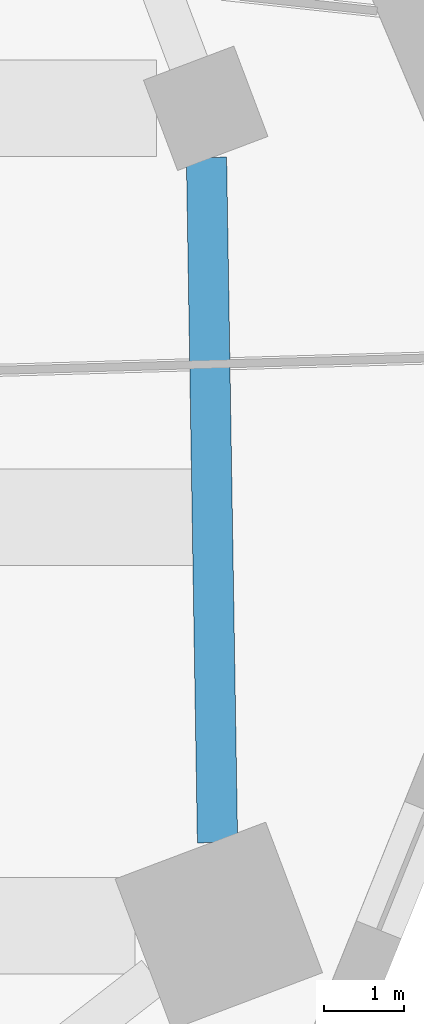
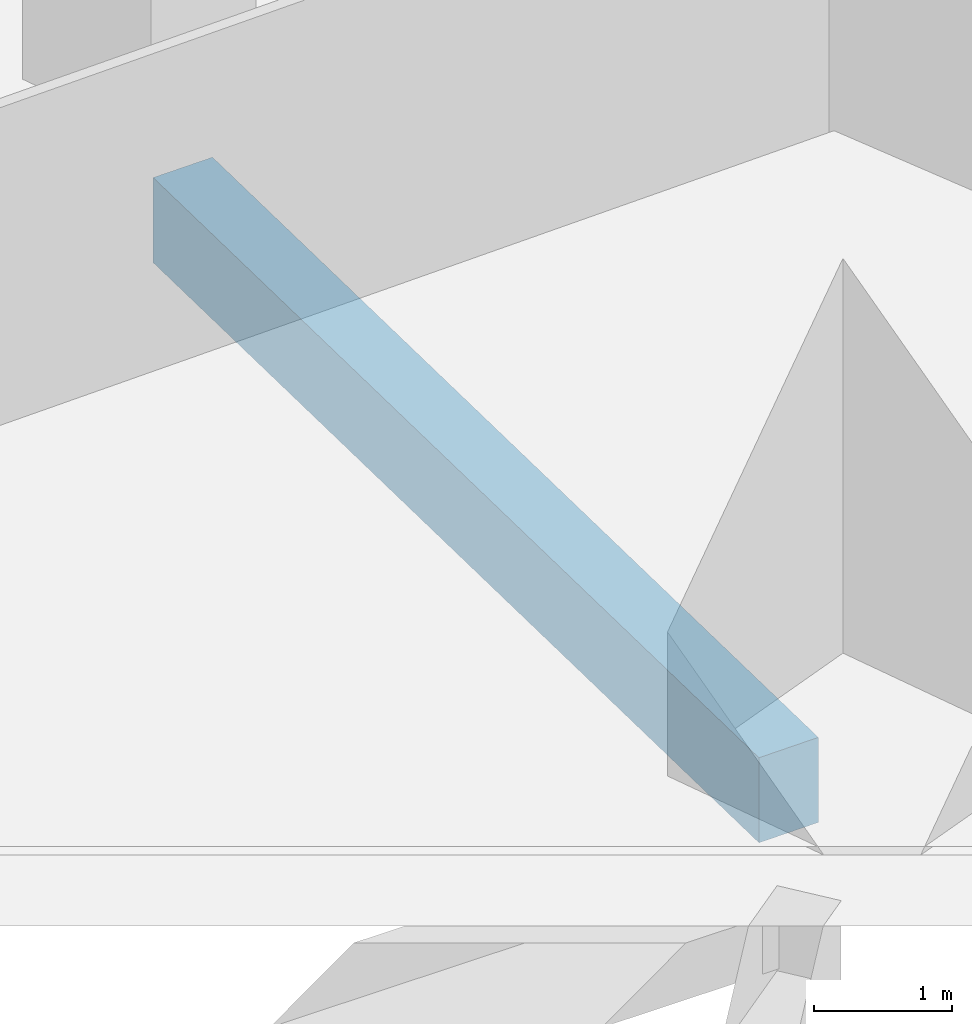
# One storey, part 3 of 12: 1 beam.
"""IFC4 building model written with IfcOpenShell, lengths in metres."""

from ifc_helpers import new_model, si_unit, direction, frame, origin, origin_2d, place, context, subcontext, project, spatial, rectangle, extrude, material, material_profile, profile_set, type_object, element, save


model = new_model("IFC4")

# Units and contexts
model_context = context("Model", 3, precision=1e-05, world=origin(), true_north=direction((0.0, 1.0)))
body_context = subcontext(model_context, "Body", "Model", "MODEL_VIEW")
ifc_project = project(units=[si_unit("LENGTHUNIT", "METRE"), si_unit("AREAUNIT", "SQUARE_METRE"), si_unit("VOLUMEUNIT", "CUBIC_METRE"), si_unit("PLANEANGLEUNIT", "RADIAN"), si_unit("MASSUNIT", "GRAM", prefix="KILO")], contexts=[model_context])

# Site, building, storey
site_placement = place(None, origin())
site = spatial("IfcSite", under=ifc_project, at=site_placement, CompositionType="ELEMENT")
building_placement = place(site_placement, origin())
building = spatial("IfcBuilding", under=site, at=building_placement, Name="Dilmun Exchange Tower", CompositionType="ELEMENT")
storey_placement = place(building_placement, frame((0.0, 0.0, 118.10009765625)))
storey = spatial("IfcBuildingStorey", under=building, at=storey_placement, Name="L27", CompositionType="ELEMENT", Elevation=118.10009765625)

# Beam
ifc_material = material(Name="Concrete C40/50", Category="concrete")
ifc_material_profile = material_profile(ifc_material, rectangle(XDim=0.5, YDim=0.75, at=origin_2d()), Name="500 x 750")
ifc_profile_set = profile_set([ifc_material_profile], Name="Concrete C40/50")
beam_type = type_object("IfcBeamType", Name="RC ring beam 500 x 750 C40/50", PredefinedType="SPANDREL", material=ifc_profile_set)
beam_placement = place(storey_placement, frame((30.37744140625, -11.33544921875, -0.795166015625), z_axis=(-0.016054357527, 0.999871120497, 0.0), x_axis=(-0.999871120497, -0.016054357527, 0.0)))
element("IfcBeam", 1, at=beam_placement, inside=storey, type_object=beam_type, Name="Ring beam 13", PredefinedType="SPANDREL", context=body_context, shape_type="SweptSolid", body=[
    extrude(rectangle(XDim=0.5, YDim=0.75, at=origin_2d()), origin(), (0.0, 0.0, 1.0), 8.515869140625),
])

save(model, "model.ifc")
